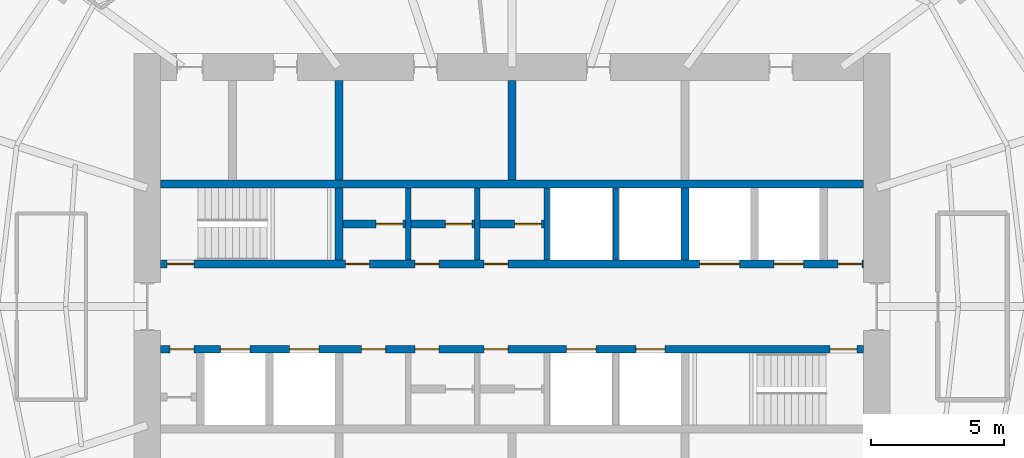
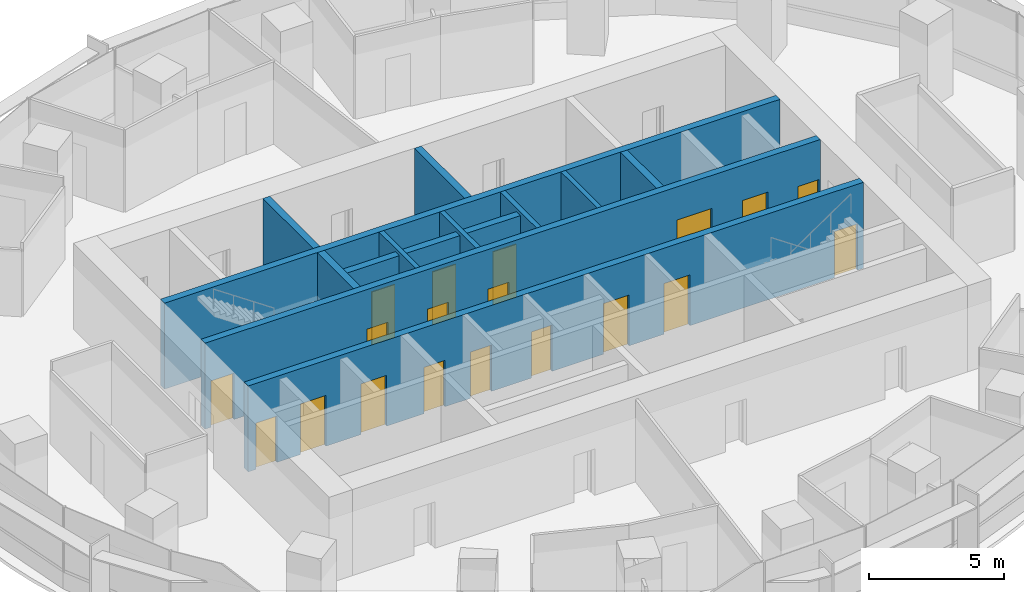
# One storey, part 11 of 15: 19 doors, 14 walls, 19 openings.
"""IFC4 building model written with IfcOpenShell, lengths in metres."""

from ifc_helpers import new_model, si_unit, direction, frame, frame_2d, origin, place, context, subcontext, project, spatial, rectangle, extrude, material, layer, layer_set, type_object, element, fill, save


model = new_model("IFC4")

# Units and contexts
model_context = context("Model", 3, precision=1e-05, world=origin(), true_north=direction((0.0, 1.0)))
body_context = subcontext(model_context, "Body", "Model", "MODEL_VIEW")
ifc_project = project(units=[si_unit("LENGTHUNIT", "METRE"), si_unit("AREAUNIT", "SQUARE_METRE"), si_unit("VOLUMEUNIT", "CUBIC_METRE"), si_unit("PLANEANGLEUNIT", "RADIAN"), si_unit("MASSUNIT", "GRAM", prefix="KILO")], contexts=[model_context])

# Site, building, storey
site_placement = place(None, origin())
site = spatial("IfcSite", under=ifc_project, at=site_placement, CompositionType="ELEMENT")
building_placement = place(site_placement, origin())
building = spatial("IfcBuilding", under=site, at=building_placement, Name="Marramba Exchange Tower", CompositionType="ELEMENT")
storey_placement = place(building_placement, frame((0.0, 0.0, 187.699951171875)))
storey = spatial("IfcBuildingStorey", under=building, at=storey_placement, Name="L45", CompositionType="ELEMENT", Elevation=187.699951171875)

# Walls
ifc_material_1 = material(Name="Concrete N50", Category="concrete")
ifc_layer_1 = layer(ifc_material_1, 0.199951171875)
ifc_layer_set_1 = layer_set([ifc_layer_1], Name="Core shaft wall 200")
wall_type_1 = type_object("IfcWallType", Name="Core shaft wall 200", PredefinedType="SHEAR", material=ifc_layer_set_1)
for number, where, z_axis, x_axis, name in (
    (1, (-3.89990234375, 1.75, 0.0), (0.0, 0.0, 1.0), (0.0, 1.0, 0.0), "Core wall SHN1 L45"),
    (2, (-1.300048828125, 1.75, 0.0), (0.0, 0.0, 1.0), (0.0, 1.0, 0.0), "Core wall SHN2 L45"),
    (3, (1.300048828125, 1.75, 0.0), (0.0, 0.0, 1.0), (0.0, 1.0, 0.0), "Core wall SHN3 L45"),
    (4, (3.89990234375, 1.75, 0.0), (0.0, 0.0, 1.0), (0.0, 1.0, 0.0), "Core wall SHN4 L45"),
):
    element("IfcWall", number, at=place(storey_placement, frame(where, z_axis=z_axis, x_axis=x_axis)), inside=storey, type_object=wall_type_1, Name=name, PredefinedType="SHEAR", context=body_context, shape_type="SweptSolid", body=[
        extrude(rectangle(XDim=2.699951171875, YDim=0.199951171875, at=frame_2d((1.35009765625, 0.0))), origin(), (0.0, 0.0, 1.0), 3.900146484375),
    ])

# Wall, openings, doors
ifc_layer_2 = layer(ifc_material_1, 0.300048828125)
ifc_layer_set_2 = layer_set([ifc_layer_2], Name="Core wall 300")
wall_type_2 = type_object("IfcWallType", Name="Core wall 300", PredefinedType="SHEAR", material=ifc_layer_set_2)
wall_1_placement = place(storey_placement, frame((-13.199951171875, 1.60009765625, 0.0), z_axis=(0.0, 0.0, 1.0), x_axis=(1.0, 0.0, 0.0)))
wall_1 = element("IfcWall", 5, at=wall_1_placement, inside=storey, type_object=wall_type_2, Name="Core wall LN L45", PredefinedType="SHEAR", context=body_context, shape_type="SweptSolid", body=[
    extrude(rectangle(XDim=26.39990234375, YDim=0.300048828125, at=frame_2d((13.199951171875, 0.0))), origin(), (0.0, 0.0, 1.0), 3.900146484375),
])
opening_1_placement = place(wall_1_placement, frame((0.25, 0.0, 0.0)))
opening_1 = element("IfcOpeningElement", 6, at=opening_1_placement, cuts=wall_1, Name="Opening D2", PredefinedType="OPENING", context=body_context, shape_type="SweptSolid", body=[
    extrude(rectangle(XDim=1.0, YDim=2.10009765625, at=frame_2d((0.5, 1.050048828125))), frame((0.0, 0.159912109375, 0.0), z_axis=(0.0, -1.0, 0.0), x_axis=(1.0, 0.0, 0.0)), (0.0, 0.0, 1.0), 0.320068359375),
])
opening_2_placement = place(wall_1_placement, frame((23.050048828125, 0.0, 0.0)))
opening_2 = element("IfcOpeningElement", 7, at=opening_2_placement, cuts=wall_1, Name="Opening LD1", PredefinedType="OPENING", context=body_context, shape_type="SweptSolid", body=[
    extrude(rectangle(XDim=1.10009765625, YDim=2.300048828125, at=frame_2d((0.550048828125, 1.14990234375))), frame((0.0, 0.159912109375, 0.0), z_axis=(0.0, -1.0, 0.0), x_axis=(1.0, 0.0, 0.0)), (0.0, 0.0, 1.0), 0.320068359375),
])
opening_3_placement = place(wall_1_placement, frame((20.25, 0.0, 0.0)))
opening_3 = element("IfcOpeningElement", 8, at=opening_3_placement, cuts=wall_1, Name="Opening LD3", PredefinedType="OPENING", context=body_context, shape_type="SweptSolid", body=[
    extrude(rectangle(XDim=1.5, YDim=2.39990234375, at=frame_2d((0.75, 1.199951171875))), frame((0.0, 0.159912109375, 0.0), z_axis=(0.0, -1.0, 0.0), x_axis=(1.0, 0.0, 0.0)), (0.0, 0.0, 1.0), 0.320068359375),
])
opening_4_placement = place(wall_1_placement, frame((6.949951171875, 0.0, 0.0)))
opening_4 = element("IfcOpeningElement", 9, at=opening_4_placement, cuts=wall_1, Name="Opening D5", PredefinedType="OPENING", context=body_context, shape_type="SweptSolid", body=[
    extrude(rectangle(XDim=0.89990234375, YDim=2.10009765625, at=frame_2d((0.449951171875, 1.050048828125))), frame((0.0, 0.159912109375, 0.0), z_axis=(0.0, -1.0, 0.0), x_axis=(1.0, 0.0, 0.0)), (0.0, 0.0, 1.0), 0.320068359375),
])
opening_5_placement = place(wall_1_placement, frame((9.550048828125, 0.0, 0.0)))
opening_5 = element("IfcOpeningElement", 10, at=opening_5_placement, cuts=wall_1, Name="Opening D5", PredefinedType="OPENING", context=body_context, shape_type="SweptSolid", body=[
    extrude(rectangle(XDim=0.89990234375, YDim=2.10009765625, at=frame_2d((0.449951171875, 1.050048828125))), frame((0.0, 0.159912109375, 0.0), z_axis=(0.0, -1.0, 0.0), x_axis=(1.0, 0.0, 0.0)), (0.0, 0.0, 1.0), 0.320068359375),
])
opening_6_placement = place(wall_1_placement, frame((12.14990234375, 0.0, 0.0)))
opening_6 = element("IfcOpeningElement", 11, at=opening_6_placement, cuts=wall_1, Name="Opening D5", PredefinedType="OPENING", context=body_context, shape_type="SweptSolid", body=[
    extrude(rectangle(XDim=0.89990234375, YDim=2.10009765625, at=frame_2d((0.449951171875, 1.050048828125))), frame((0.0, 0.159912109375, 0.0), z_axis=(0.0, -1.0, 0.0), x_axis=(1.0, 0.0, 0.0)), (0.0, 0.0, 1.0), 0.320068359375),
])
opening_7_placement = place(wall_1_placement, frame((25.449951171875, 0.0, 0.0)))
opening_7 = element("IfcOpeningElement", 12, at=opening_7_placement, cuts=wall_1, Name="Opening D5", PredefinedType="OPENING", context=body_context, shape_type="SweptSolid", body=[
    extrude(rectangle(XDim=0.89990234375, YDim=2.10009765625, at=frame_2d((0.449951171875, 1.050048828125))), frame((0.0, 0.159912109375, 0.0), z_axis=(0.0, -1.0, 0.0), x_axis=(1.0, 0.0, 0.0)), (0.0, 0.0, 1.0), 0.320068359375),
])
ifc_material_2 = material(Name="Steel-framed door", Category="steel")
door_type_1 = type_object("IfcDoorType", Name="Goods lift landing door 1500x2400", OperationType="SLIDING_TO_LEFT", PredefinedType="DOOR", material=ifc_material_2)
door_1_placement = place(opening_3_placement, origin())
door_1 = element("IfcDoor", 13, at=door_1_placement, inside=storey, type_object=door_type_1, Name="GL1 landing door L45", OperationType="SLIDING_TO_LEFT", OverallHeight=2.39990234375, OverallWidth=1.5, PredefinedType="DOOR", context=body_context, shape_type="SweptSolid", body=[
    extrude(rectangle(XDim=1.5, YDim=2.39990234375, at=frame_2d((0.75, 1.199951171875))), frame((0.0, 0.02490234375, 0.0), z_axis=(0.0, -1.0, 0.0), x_axis=(1.0, 0.0, 0.0)), (0.0, 0.0, 1.0), 0.050048828125),
])
fill(opening_3, door_1)
door_type_2 = type_object("IfcDoorType", Name="Lift landing door 1100x2300", OperationType="SLIDING_TO_LEFT", PredefinedType="DOOR", material=ifc_material_2)
door_2_placement = place(opening_2_placement, origin())
door_2 = element("IfcDoor", 14, at=door_2_placement, inside=storey, type_object=door_type_2, Name="LC3 landing door L45", OperationType="SLIDING_TO_LEFT", OverallHeight=2.300048828125, OverallWidth=1.10009765625, PredefinedType="DOOR", context=body_context, shape_type="SweptSolid", body=[
    extrude(rectangle(XDim=1.10009765625, YDim=2.300048828125, at=frame_2d((0.550048828125, 1.14990234375))), frame((0.0, 0.02490234375, 0.0), z_axis=(0.0, -1.0, 0.0), x_axis=(1.0, 0.0, 0.0)), (0.0, 0.0, 1.0), 0.050048828125),
])
fill(opening_2, door_2)
door_type_3 = type_object("IfcDoorType", Name="Service door 900x2100", OperationType="SINGLE_SWING_LEFT", PredefinedType="DOOR", material=ifc_material_2)
door_3_placement = place(opening_4_placement, origin())
door_3 = element("IfcDoor", 15, at=door_3_placement, inside=storey, type_object=door_type_3, Name="D5 switch room L45", OperationType="SINGLE_SWING_LEFT", OverallHeight=2.10009765625, OverallWidth=0.89990234375, PredefinedType="DOOR", context=body_context, shape_type="SweptSolid", body=[
    extrude(rectangle(XDim=0.89990234375, YDim=2.10009765625, at=frame_2d((0.449951171875, 1.050048828125))), frame((0.0, 0.02490234375, 0.0), z_axis=(0.0, -1.0, 0.0), x_axis=(1.0, 0.0, 0.0)), (0.0, 0.0, 1.0), 0.050048828125),
])
fill(opening_4, door_3)
door_4_placement = place(opening_5_placement, origin())
door_4 = element("IfcDoor", 16, at=door_4_placement, inside=storey, type_object=door_type_3, Name="D5 cleaner store L45", OperationType="SINGLE_SWING_LEFT", OverallHeight=2.10009765625, OverallWidth=0.89990234375, PredefinedType="DOOR", context=body_context, shape_type="SweptSolid", body=[
    extrude(rectangle(XDim=0.89990234375, YDim=2.10009765625, at=frame_2d((0.449951171875, 1.050048828125))), frame((0.0, 0.02490234375, 0.0), z_axis=(0.0, -1.0, 0.0), x_axis=(1.0, 0.0, 0.0)), (0.0, 0.0, 1.0), 0.050048828125),
])
fill(opening_5, door_4)
door_5_placement = place(opening_6_placement, origin())
door_5 = element("IfcDoor", 17, at=door_5_placement, inside=storey, type_object=door_type_3, Name="D5 general store L45", OperationType="SINGLE_SWING_LEFT", OverallHeight=2.10009765625, OverallWidth=0.89990234375, PredefinedType="DOOR", context=body_context, shape_type="SweptSolid", body=[
    extrude(rectangle(XDim=0.89990234375, YDim=2.10009765625, at=frame_2d((0.449951171875, 1.050048828125))), frame((0.0, 0.02490234375, 0.0), z_axis=(0.0, -1.0, 0.0), x_axis=(1.0, 0.0, 0.0)), (0.0, 0.0, 1.0), 0.050048828125),
])
fill(opening_6, door_5)
door_6_placement = place(opening_7_placement, origin())
door_6 = element("IfcDoor", 18, at=door_6_placement, inside=storey, type_object=door_type_3, Name="D5 riser L45", OperationType="SINGLE_SWING_RIGHT", OverallHeight=2.10009765625, OverallWidth=0.89990234375, PredefinedType="DOOR", context=body_context, shape_type="SweptSolid", body=[
    extrude(rectangle(XDim=0.89990234375, YDim=2.10009765625, at=frame_2d((0.449951171875, 1.050048828125))), frame((0.0, 0.02490234375, 0.0), z_axis=(0.0, -1.0, 0.0), x_axis=(1.0, 0.0, 0.0)), (0.0, 0.0, 1.0), 0.050048828125),
])
fill(opening_7, door_6)
door_type_4 = type_object("IfcDoorType", Name="Stair door 1000x2100", OperationType="SINGLE_SWING_LEFT", PredefinedType="DOOR", material=ifc_material_2)
door_7_placement = place(opening_1_placement, origin())
door_7 = element("IfcDoor", 19, at=door_7_placement, inside=storey, type_object=door_type_4, Name="D2 stair ST1 L45", OperationType="SINGLE_SWING_LEFT", OverallHeight=2.10009765625, OverallWidth=1.0, PredefinedType="DOOR", context=body_context, shape_type="SweptSolid", body=[
    extrude(rectangle(XDim=1.0, YDim=2.10009765625, at=frame_2d((0.5, 1.050048828125))), frame((0.0, 0.02490234375, 0.0), z_axis=(0.0, -1.0, 0.0), x_axis=(1.0, 0.0, 0.0)), (0.0, 0.0, 1.0), 0.050048828125),
])
fill(opening_1, door_7)

wall_2_placement = place(storey_placement, frame((-13.199951171875, -1.60009765625, 0.0), z_axis=(0.0, 0.0, 1.0), x_axis=(1.0, 0.0, 0.0)))
wall_2 = element("IfcWall", 20, at=wall_2_placement, inside=storey, type_object=wall_type_2, Name="Core wall LS L45", PredefinedType="SHEAR", context=body_context, shape_type="SweptSolid", body=[
    extrude(rectangle(XDim=26.39990234375, YDim=0.300048828125, at=frame_2d((13.199951171875, 0.0))), origin(), (0.0, 0.0, 1.0), 3.900146484375),
])
opening_8_placement = place(wall_2_placement, frame((25.14990234375, 0.0, 0.0)))
opening_8 = element("IfcOpeningElement", 21, at=opening_8_placement, cuts=wall_2, Name="Opening D2", PredefinedType="OPENING", context=body_context, shape_type="SweptSolid", body=[
    extrude(rectangle(XDim=1.0, YDim=2.10009765625, at=frame_2d((0.5, 1.050048828125))), frame((0.0, 0.159912109375, 0.0), z_axis=(0.0, -1.0, 0.0), x_axis=(1.0, 0.0, 0.0)), (0.0, 0.0, 1.0), 0.320068359375),
])
opening_9_placement = place(wall_2_placement, frame((7.550048828125, 0.0, 0.0)))
opening_9 = element("IfcOpeningElement", 22, at=opening_9_placement, cuts=wall_2, Name="Opening D5", PredefinedType="OPENING", context=body_context, shape_type="SweptSolid", body=[
    extrude(rectangle(XDim=0.89990234375, YDim=2.10009765625, at=frame_2d((0.449951171875, 1.050048828125))), frame((0.0, 0.159912109375, 0.0), z_axis=(0.0, -1.0, 0.0), x_axis=(1.0, 0.0, 0.0)), (0.0, 0.0, 1.0), 0.320068359375),
])
opening_10_placement = place(wall_2_placement, frame((9.550048828125, 0.0, 0.0)))
opening_10 = element("IfcOpeningElement", 23, at=opening_10_placement, cuts=wall_2, Name="Opening D5", PredefinedType="OPENING", context=body_context, shape_type="SweptSolid", body=[
    extrude(rectangle(XDim=0.89990234375, YDim=2.10009765625, at=frame_2d((0.449951171875, 1.050048828125))), frame((0.0, 0.159912109375, 0.0), z_axis=(0.0, -1.0, 0.0), x_axis=(1.0, 0.0, 0.0)), (0.0, 0.0, 1.0), 0.320068359375),
])
opening_11_placement = place(wall_2_placement, frame((12.14990234375, 0.0, 0.0)))
opening_11 = element("IfcOpeningElement", 24, at=opening_11_placement, cuts=wall_2, Name="Opening D5", PredefinedType="OPENING", context=body_context, shape_type="SweptSolid", body=[
    extrude(rectangle(XDim=0.89990234375, YDim=2.10009765625, at=frame_2d((0.449951171875, 1.050048828125))), frame((0.0, 0.159912109375, 0.0), z_axis=(0.0, -1.0, 0.0), x_axis=(1.0, 0.0, 0.0)), (0.0, 0.0, 1.0), 0.320068359375),
])
opening_12_placement = place(wall_2_placement, frame((15.25, 0.0, 0.0)))
opening_12 = element("IfcOpeningElement", 25, at=opening_12_placement, cuts=wall_2, Name="Opening LD2", PredefinedType="OPENING", context=body_context, shape_type="SweptSolid", body=[
    extrude(rectangle(XDim=1.10009765625, YDim=2.300048828125, at=frame_2d((0.550048828125, 1.14990234375))), frame((0.0, 0.159912109375, 0.0), z_axis=(0.0, -1.0, 0.0), x_axis=(1.0, 0.0, 0.0)), (0.0, 0.0, 1.0), 0.320068359375),
])
opening_13_placement = place(wall_2_placement, frame((17.85009765625, 0.0, 0.0)))
opening_13 = element("IfcOpeningElement", 26, at=opening_13_placement, cuts=wall_2, Name="Opening LD2", PredefinedType="OPENING", context=body_context, shape_type="SweptSolid", body=[
    extrude(rectangle(XDim=1.10009765625, YDim=2.300048828125, at=frame_2d((0.550048828125, 1.14990234375))), frame((0.0, 0.159912109375, 0.0), z_axis=(0.0, -1.0, 0.0), x_axis=(1.0, 0.0, 0.0)), (0.0, 0.0, 1.0), 0.320068359375),
])
opening_14_placement = place(wall_2_placement, frame((4.85009765625, 0.0, 0.0)))
opening_14 = element("IfcOpeningElement", 27, at=opening_14_placement, cuts=wall_2, Name="Opening LD1", PredefinedType="OPENING", context=body_context, shape_type="SweptSolid", body=[
    extrude(rectangle(XDim=1.10009765625, YDim=2.300048828125, at=frame_2d((0.550048828125, 1.14990234375))), frame((0.0, 0.159912109375, 0.0), z_axis=(0.0, -1.0, 0.0), x_axis=(1.0, 0.0, 0.0)), (0.0, 0.0, 1.0), 0.320068359375),
])
opening_15_placement = place(wall_2_placement, frame((2.25, 0.0, 0.0)))
opening_15 = element("IfcOpeningElement", 28, at=opening_15_placement, cuts=wall_2, Name="Opening LD1", PredefinedType="OPENING", context=body_context, shape_type="SweptSolid", body=[
    extrude(rectangle(XDim=1.10009765625, YDim=2.300048828125, at=frame_2d((0.550048828125, 1.14990234375))), frame((0.0, 0.159912109375, 0.0), z_axis=(0.0, -1.0, 0.0), x_axis=(1.0, 0.0, 0.0)), (0.0, 0.0, 1.0), 0.320068359375),
])
opening_16_placement = place(wall_2_placement, frame((0.35009765625, 0.0, 0.0)))
opening_16 = element("IfcOpeningElement", 29, at=opening_16_placement, cuts=wall_2, Name="Opening D5", PredefinedType="OPENING", context=body_context, shape_type="SweptSolid", body=[
    extrude(rectangle(XDim=0.89990234375, YDim=2.10009765625, at=frame_2d((0.449951171875, 1.050048828125))), frame((0.0, 0.159912109375, 0.0), z_axis=(0.0, -1.0, 0.0), x_axis=(1.0, 0.0, 0.0)), (0.0, 0.0, 1.0), 0.320068359375),
])
door_type_5 = type_object("IfcDoorType", Name="Emergency lift landing door 1100x2300", OperationType="SLIDING_TO_LEFT", PredefinedType="DOOR", material=ifc_material_2)
door_8_placement = place(opening_12_placement, frame((1.10009765625, 0.0, 0.0), z_axis=(0.0, 0.0, 1.0), x_axis=(-1.0, 0.0, 0.0)))
door_8 = element("IfcDoor", 30, at=door_8_placement, inside=storey, type_object=door_type_5, Name="FL1 landing door L45", OperationType="SLIDING_TO_RIGHT", OverallHeight=2.300048828125, OverallWidth=1.10009765625, PredefinedType="DOOR", context=body_context, shape_type="SweptSolid", body=[
    extrude(rectangle(XDim=1.10009765625, YDim=2.300048828125, at=frame_2d((0.550048828125, 1.14990234375))), frame((0.0, 0.025146484375, 0.0), z_axis=(0.0, -1.0, 0.0), x_axis=(1.0, 0.0, 0.0)), (0.0, 0.0, 1.0), 0.050048828125),
])
fill(opening_12, door_8)
door_9_placement = place(opening_13_placement, frame((1.10009765625, 0.0, 0.0), z_axis=(0.0, 0.0, 1.0), x_axis=(-1.0, 0.0, 0.0)))
door_9 = element("IfcDoor", 31, at=door_9_placement, inside=storey, type_object=door_type_5, Name="FL2 landing door L45", OperationType="SLIDING_TO_LEFT", OverallHeight=2.300048828125, OverallWidth=1.10009765625, PredefinedType="DOOR", context=body_context, shape_type="SweptSolid", body=[
    extrude(rectangle(XDim=1.10009765625, YDim=2.300048828125, at=frame_2d((0.550048828125, 1.14990234375))), frame((0.0, 0.025146484375, 0.0), z_axis=(0.0, -1.0, 0.0), x_axis=(1.0, 0.0, 0.0)), (0.0, 0.0, 1.0), 0.050048828125),
])
fill(opening_13, door_9)
door_10_placement = place(opening_14_placement, frame((1.10009765625, 0.0, 0.0), z_axis=(0.0, 0.0, 1.0), x_axis=(-1.0, 0.0, 0.0)))
door_10 = element("IfcDoor", 32, at=door_10_placement, inside=storey, type_object=door_type_2, Name="LC1 landing door L45", OperationType="SLIDING_TO_LEFT", OverallHeight=2.300048828125, OverallWidth=1.10009765625, PredefinedType="DOOR", context=body_context, shape_type="SweptSolid", body=[
    extrude(rectangle(XDim=1.10009765625, YDim=2.300048828125, at=frame_2d((0.550048828125, 1.14990234375))), frame((0.0, 0.025146484375, 0.0), z_axis=(0.0, -1.0, 0.0), x_axis=(1.0, 0.0, 0.0)), (0.0, 0.0, 1.0), 0.050048828125),
])
fill(opening_14, door_10)
door_11_placement = place(opening_15_placement, frame((1.10009765625, 0.0, 0.0), z_axis=(0.0, 0.0, 1.0), x_axis=(-1.0, 0.0, 0.0)))
door_11 = element("IfcDoor", 33, at=door_11_placement, inside=storey, type_object=door_type_2, Name="LC2 landing door L45", OperationType="SLIDING_TO_LEFT", OverallHeight=2.300048828125, OverallWidth=1.10009765625, PredefinedType="DOOR", context=body_context, shape_type="SweptSolid", body=[
    extrude(rectangle(XDim=1.10009765625, YDim=2.300048828125, at=frame_2d((0.550048828125, 1.14990234375))), frame((0.0, 0.025146484375, 0.0), z_axis=(0.0, -1.0, 0.0), x_axis=(1.0, 0.0, 0.0)), (0.0, 0.0, 1.0), 0.050048828125),
])
fill(opening_15, door_11)
door_12_placement = place(opening_9_placement, frame((0.89990234375, 0.0, 0.0), z_axis=(0.0, 0.0, 1.0), x_axis=(-1.0, 0.0, 0.0)))
door_12 = element("IfcDoor", 34, at=door_12_placement, inside=storey, type_object=door_type_3, Name="D5 it equipment room n1 L45", OperationType="SINGLE_SWING_RIGHT", OverallHeight=2.10009765625, OverallWidth=0.89990234375, PredefinedType="DOOR", context=body_context, shape_type="SweptSolid", body=[
    extrude(rectangle(XDim=0.89990234375, YDim=2.10009765625, at=frame_2d((0.449951171875, 1.050048828125))), frame((0.0, 0.025146484375, 0.0), z_axis=(0.0, -1.0, 0.0), x_axis=(1.0, 0.0, 0.0)), (0.0, 0.0, 1.0), 0.050048828125),
])
fill(opening_9, door_12)
door_13_placement = place(opening_10_placement, frame((0.89990234375, 0.0, 0.0), z_axis=(0.0, 0.0, 1.0), x_axis=(-1.0, 0.0, 0.0)))
door_13 = element("IfcDoor", 35, at=door_13_placement, inside=storey, type_object=door_type_3, Name="D5 store room n1 L45", OperationType="SINGLE_SWING_RIGHT", OverallHeight=2.10009765625, OverallWidth=0.89990234375, PredefinedType="DOOR", context=body_context, shape_type="SweptSolid", body=[
    extrude(rectangle(XDim=0.89990234375, YDim=2.10009765625, at=frame_2d((0.449951171875, 1.050048828125))), frame((0.0, 0.025146484375, 0.0), z_axis=(0.0, -1.0, 0.0), x_axis=(1.0, 0.0, 0.0)), (0.0, 0.0, 1.0), 0.050048828125),
])
fill(opening_10, door_13)
door_14_placement = place(opening_11_placement, frame((0.89990234375, 0.0, 0.0), z_axis=(0.0, 0.0, 1.0), x_axis=(-1.0, 0.0, 0.0)))
door_14 = element("IfcDoor", 36, at=door_14_placement, inside=storey, type_object=door_type_3, Name="D5 print room n2 L45", OperationType="SINGLE_SWING_RIGHT", OverallHeight=2.10009765625, OverallWidth=0.89990234375, PredefinedType="DOOR", context=body_context, shape_type="SweptSolid", body=[
    extrude(rectangle(XDim=0.89990234375, YDim=2.10009765625, at=frame_2d((0.449951171875, 1.050048828125))), frame((0.0, 0.025146484375, 0.0), z_axis=(0.0, -1.0, 0.0), x_axis=(1.0, 0.0, 0.0)), (0.0, 0.0, 1.0), 0.050048828125),
])
fill(opening_11, door_14)
door_15_placement = place(opening_16_placement, frame((0.89990234375, 0.0, 0.0), z_axis=(0.0, 0.0, 1.0), x_axis=(-1.0, 0.0, 0.0)))
door_15 = element("IfcDoor", 37, at=door_15_placement, inside=storey, type_object=door_type_3, Name="D5 electrical riser L45", OperationType="SINGLE_SWING_LEFT", OverallHeight=2.10009765625, OverallWidth=0.89990234375, PredefinedType="DOOR", context=body_context, shape_type="SweptSolid", body=[
    extrude(rectangle(XDim=0.89990234375, YDim=2.10009765625, at=frame_2d((0.449951171875, 1.050048828125))), frame((0.0, 0.025146484375, 0.0), z_axis=(0.0, -1.0, 0.0), x_axis=(1.0, 0.0, 0.0)), (0.0, 0.0, 1.0), 0.050048828125),
])
fill(opening_16, door_15)
door_16_placement = place(opening_8_placement, frame((1.0, 0.0, 0.0), z_axis=(0.0, 0.0, 1.0), x_axis=(-1.0, 0.0, 0.0)))
door_16 = element("IfcDoor", 38, at=door_16_placement, inside=storey, type_object=door_type_4, Name="D2 stair ST2 L45", OperationType="SINGLE_SWING_LEFT", OverallHeight=2.10009765625, OverallWidth=1.0, PredefinedType="DOOR", context=body_context, shape_type="SweptSolid", body=[
    extrude(rectangle(XDim=1.0, YDim=2.10009765625, at=frame_2d((0.5, 1.050048828125))), frame((0.0, 0.025146484375, 0.0), z_axis=(0.0, -1.0, 0.0), x_axis=(1.0, 0.0, 0.0)), (0.0, 0.0, 1.0), 0.050048828125),
])
fill(opening_8, door_16)

# Walls
wall_3_placement = place(storey_placement, frame((-13.199951171875, 4.60009765625, 0.0), z_axis=(0.0, 0.0, 1.0), x_axis=(1.0, 0.0, 0.0)))
element("IfcWall", 39, at=wall_3_placement, inside=storey, type_object=wall_type_2, Name="Core wall BN L45", PredefinedType="SHEAR", context=body_context, shape_type="SweptSolid", body=[
    extrude(rectangle(XDim=26.39990234375, YDim=0.300048828125, at=frame_2d((13.199951171875, 0.0))), origin(), (0.0, 0.0, 1.0), 3.900146484375),
])
wall_4_placement = place(storey_placement, frame((-6.5, 1.75, 0.0), z_axis=(0.0, 0.0, 1.0), x_axis=(0.0, 1.0, 0.0)))
element("IfcWall", 40, at=wall_4_placement, inside=storey, type_object=wall_type_2, Name="Core wall X0Na L45", PredefinedType="SHEAR", context=body_context, shape_type="SweptSolid", body=[
    extrude(rectangle(XDim=2.699951171875, YDim=0.300048828125, at=frame_2d((1.35009765625, 0.0))), origin(), (0.0, 0.0, 1.0), 3.900146484375),
])
wall_5_placement = place(storey_placement, frame((-6.5, 4.75, 0.0), z_axis=(0.0, 0.0, 1.0), x_axis=(0.0, 1.0, 0.0)))
element("IfcWall", 41, at=wall_5_placement, inside=storey, type_object=wall_type_2, Name="Core wall X0Nb L45", PredefinedType="SHEAR", context=body_context, shape_type="SweptSolid", body=[
    extrude(rectangle(XDim=3.75, YDim=0.300048828125, at=frame_2d((1.875, 0.0))), origin(), (0.0, 0.0, 1.0), 3.900146484375),
])
wall_6_placement = place(storey_placement, frame((6.5, 1.75, 0.0), z_axis=(0.0, 0.0, 1.0), x_axis=(0.0, 1.0, 0.0)))
element("IfcWall", 42, at=wall_6_placement, inside=storey, type_object=wall_type_2, Name="Core wall X1Na L45", PredefinedType="SHEAR", context=body_context, shape_type="SweptSolid", body=[
    extrude(rectangle(XDim=2.699951171875, YDim=0.300048828125, at=frame_2d((1.35009765625, 0.0))), origin(), (0.0, 0.0, 1.0), 3.900146484375),
])
wall_7_placement = place(storey_placement, frame((0.0, 4.75, 0.0), z_axis=(0.0, 0.0, 1.0), x_axis=(0.0, 1.0, 0.0)))
element("IfcWall", 43, at=wall_7_placement, inside=storey, type_object=wall_type_2, Name="Core wall MN L45", PredefinedType="SHEAR", context=body_context, shape_type="SweptSolid", body=[
    extrude(rectangle(XDim=3.75, YDim=0.300048828125, at=frame_2d((1.875, 0.0))), origin(), (0.0, 0.0, 1.0), 3.900146484375),
])

# Wall, opening, door
ifc_material_3 = material(Name="Plasterboard on steel studs, insulated, unrated", Category="steel")
ifc_layer_3 = layer(ifc_material_3, 0.300048828125)
ifc_layer_set_3 = layer_set([ifc_layer_3], Name="Store partition 300")
wall_type_3 = type_object("IfcWallType", Name="Store partition 300", PredefinedType="PARTITIONING", material=ifc_layer_set_3)
wall_8_placement = place(storey_placement, frame((-6.35009765625, 3.10009765625, 0.0), z_axis=(0.0, 0.0, 1.0), x_axis=(1.0, 0.0, 0.0)))
wall_8 = element("IfcWall", 44, at=wall_8_placement, inside=storey, type_object=wall_type_3, Name="Store partition L45 N1", PredefinedType="PARTITIONING", context=body_context, shape_type="SweptSolid", body=[
    extrude(rectangle(XDim=2.35009765625, YDim=0.300048828125, at=frame_2d((1.175048828125, 0.0))), origin(), (0.0, 0.0, 1.0), 3.739990234375),
])
opening_17_placement = place(wall_8_placement, frame((1.25, 0.0, 0.0)))
opening_17 = element("IfcOpeningElement", 45, at=opening_17_placement, cuts=wall_8, Name="Opening D9", PredefinedType="OPENING", context=body_context, shape_type="SweptSolid", body=[
    extrude(rectangle(XDim=1.0, YDim=2.39990234375, at=frame_2d((0.5, 1.199951171875))), frame((0.0, 0.159912109375, 0.0), z_axis=(0.0, -1.0, 0.0), x_axis=(1.0, 0.0, 0.0)), (0.0, 0.0, 1.0), 0.320068359375),
])
ifc_material_4 = material(Name="Timber door", Category="wood")
door_type_6 = type_object("IfcDoorType", Name="Room door 1000x2400", OperationType="SINGLE_SWING_LEFT", PredefinedType="DOOR", material=ifc_material_4)
door_17_placement = place(opening_17_placement, origin())
door_17 = element("IfcDoor", 46, at=door_17_placement, inside=storey, type_object=door_type_6, Name="D9 store room N1 L45", OperationType="SINGLE_SWING_RIGHT", OverallHeight=2.39990234375, OverallWidth=1.0, PredefinedType="DOOR", context=body_context, shape_type="SweptSolid", body=[
    extrude(rectangle(XDim=1.0, YDim=2.39990234375, at=frame_2d((0.5, 1.199951171875))), frame((0.0, 0.02490234375, 0.0), z_axis=(0.0, -1.0, 0.0), x_axis=(1.0, 0.0, 0.0)), (0.0, 0.0, 1.0), 0.050048828125),
])
fill(opening_17, door_17)

wall_9_placement = place(storey_placement, frame((-3.800048828125, 3.10009765625, 0.0), z_axis=(0.0, 0.0, 1.0), x_axis=(1.0, 0.0, 0.0)))
wall_9 = element("IfcWall", 47, at=wall_9_placement, inside=storey, type_object=wall_type_3, Name="Store partition L45 N2", PredefinedType="PARTITIONING", context=body_context, shape_type="SweptSolid", body=[
    extrude(rectangle(XDim=2.400146484375, YDim=0.300048828125, at=frame_2d((1.2001953125, 0.0))), origin(), (0.0, 0.0, 1.0), 3.739990234375),
])
opening_18_placement = place(wall_9_placement, frame((1.300048828125, 0.0, 0.0)))
opening_18 = element("IfcOpeningElement", 48, at=opening_18_placement, cuts=wall_9, Name="Opening D9", PredefinedType="OPENING", context=body_context, shape_type="SweptSolid", body=[
    extrude(rectangle(XDim=1.0, YDim=2.39990234375, at=frame_2d((0.5, 1.199951171875))), frame((0.0, 0.159912109375, 0.0), z_axis=(0.0, -1.0, 0.0), x_axis=(1.0, 0.0, 0.0)), (0.0, 0.0, 1.0), 0.320068359375),
])
door_18_placement = place(opening_18_placement, origin())
door_18 = element("IfcDoor", 49, at=door_18_placement, inside=storey, type_object=door_type_6, Name="D9 store room N2 L45", OperationType="SINGLE_SWING_RIGHT", OverallHeight=2.39990234375, OverallWidth=1.0, PredefinedType="DOOR", context=body_context, shape_type="SweptSolid", body=[
    extrude(rectangle(XDim=1.0, YDim=2.39990234375, at=frame_2d((0.5, 1.199951171875))), frame((0.0, 0.02490234375, 0.0), z_axis=(0.0, -1.0, 0.0), x_axis=(1.0, 0.0, 0.0)), (0.0, 0.0, 1.0), 0.050048828125),
])
fill(opening_18, door_18)

wall_10_placement = place(storey_placement, frame((-1.199951171875, 3.10009765625, 0.0), z_axis=(0.0, 0.0, 1.0), x_axis=(1.0, 0.0, 0.0)))
wall_10 = element("IfcWall", 50, at=wall_10_placement, inside=storey, type_object=wall_type_3, Name="Store partition L45 N3", PredefinedType="PARTITIONING", context=body_context, shape_type="SweptSolid", body=[
    extrude(rectangle(XDim=2.39990234375, YDim=0.300048828125, at=frame_2d((1.199951171875, 0.0))), origin(), (0.0, 0.0, 1.0), 3.739990234375),
])
opening_19_placement = place(wall_10_placement, frame((1.300048828125, 0.0, 0.0)))
opening_19 = element("IfcOpeningElement", 51, at=opening_19_placement, cuts=wall_10, Name="Opening D9", PredefinedType="OPENING", context=body_context, shape_type="SweptSolid", body=[
    extrude(rectangle(XDim=1.0, YDim=2.39990234375, at=frame_2d((0.5, 1.199951171875))), frame((0.0, 0.159912109375, 0.0), z_axis=(0.0, -1.0, 0.0), x_axis=(1.0, 0.0, 0.0)), (0.0, 0.0, 1.0), 0.320068359375),
])
door_19_placement = place(opening_19_placement, origin())
door_19 = element("IfcDoor", 52, at=door_19_placement, inside=storey, type_object=door_type_6, Name="D9 store room N3 L45", OperationType="SINGLE_SWING_RIGHT", OverallHeight=2.39990234375, OverallWidth=1.0, PredefinedType="DOOR", context=body_context, shape_type="SweptSolid", body=[
    extrude(rectangle(XDim=1.0, YDim=2.39990234375, at=frame_2d((0.5, 1.199951171875))), frame((0.0, 0.02490234375, 0.0), z_axis=(0.0, -1.0, 0.0), x_axis=(1.0, 0.0, 0.0)), (0.0, 0.0, 1.0), 0.050048828125),
])
fill(opening_19, door_19)

save(model, "model.ifc")
